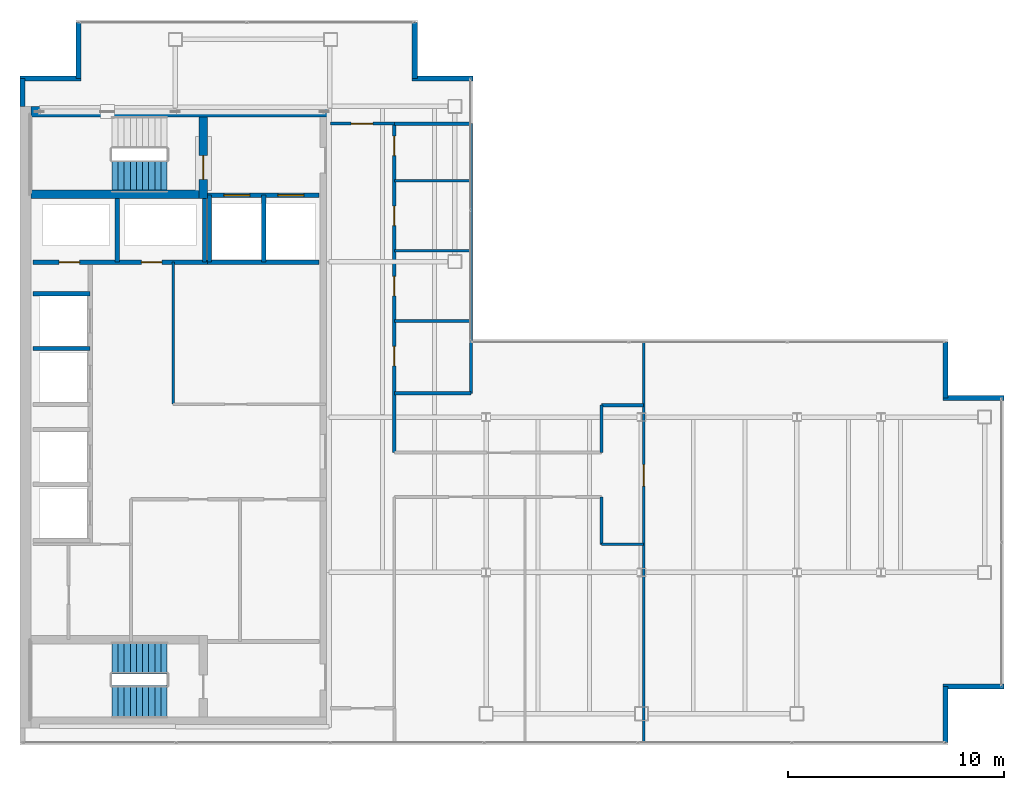
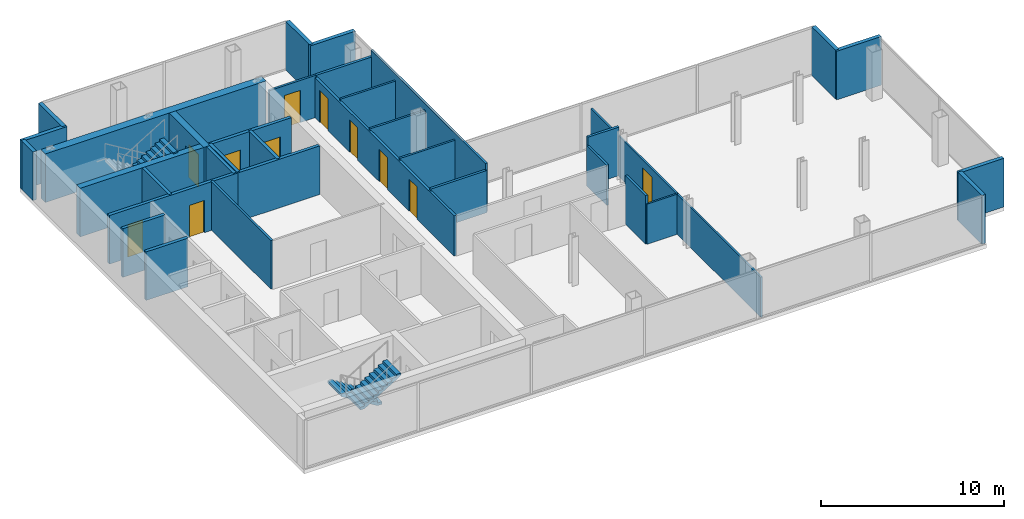
# One storey, part 21 of 23: 35 walls, 11 doors, 3 stair flights, 11 openings, 2 elements without a shape of their own.
"""IFC4 building model written with IfcOpenShell, lengths in metres."""

from ifc_helpers import new_model, si_unit, direction, frame, frame_2d, origin, place, context, subcontext, project, spatial, polyline, rectangle, outline, extrude, material, layer, layer_set, type_object, element, fill, aggregate, save


model = new_model("IFC4")

# Units and contexts
model_context = context("Model", 3, precision=1e-05, world=origin(), true_north=direction((0.0, 1.0)))
body_context = subcontext(model_context, "Body", "Model", "MODEL_VIEW")
ifc_project = project(units=[si_unit("LENGTHUNIT", "METRE"), si_unit("AREAUNIT", "SQUARE_METRE"), si_unit("VOLUMEUNIT", "CUBIC_METRE"), si_unit("PLANEANGLEUNIT", "RADIAN"), si_unit("MASSUNIT", "GRAM", prefix="KILO")], contexts=[model_context])

# Site, building, storey
site_placement = place(None, origin())
site = spatial("IfcSite", under=ifc_project, at=site_placement, CompositionType="ELEMENT")
building_placement = place(site_placement, origin())
building = spatial("IfcBuilding", under=site, at=building_placement, Name="Cobrela Telecom Tower", CompositionType="ELEMENT")
storey_placement = place(building_placement, frame((0.0, 0.0, 265.64990234375)))
storey = spatial("IfcBuildingStorey", under=building, at=storey_placement, Name="L69", CompositionType="ELEMENT", Elevation=265.64990234375)

# Walls
ifc_material_1 = material(Name="Concrete C40/50", Category="concrete")
ifc_layer_1 = layer(ifc_material_1, 0.5)
ifc_layer_set_1 = layer_set([ifc_layer_1], Name="Concrete C40/50")
wall_type_1 = type_object("IfcWallType", Name="WALL-CORE-C40-500", PredefinedType="SHEAR", material=ifc_layer_set_1)
wall_1_placement = place(storey_placement, frame((0.5, 35.75, 0.0), z_axis=(0.0, 0.0, 1.0), x_axis=(1.0, 0.0, 0.0)))
element("IfcWall", 1, at=wall_1_placement, inside=storey, type_object=wall_type_1, Name="L69 North Core Shear Wall", PredefinedType="SHEAR", context=body_context, shape_type="SweptSolid", body=[
    extrude(rectangle(XDim=13.89990234375, YDim=0.5, at=frame_2d((6.949951171875, 0.0))), origin(), (0.0, 0.0, 1.0), 3.239990234375),
])
ifc_layer_2 = layer(ifc_material_1, 0.239990234375)
ifc_layer_set_2 = layer_set([ifc_layer_2], Name="Concrete C40/50")
wall_type_2 = type_object("IfcWallType", Name="WALL-EXT-300", PredefinedType="STANDARD", material=ifc_layer_set_2)
wall_2_placement = place(storey_placement, frame((0.1201171875, 36.0, 0.0), z_axis=(0.0, 0.0, 1.0), x_axis=(0.0, 1.0, 0.0)))
element("IfcWall", 2, at=wall_2_placement, inside=storey, type_object=wall_type_2, Name="L69 Insulated Facade Wall 02", PredefinedType="STANDARD", context=body_context, shape_type="SweptSolid", body=[
    extrude(rectangle(XDim=1.2900390625, YDim=0.239990234375, at=frame_2d((0.64501953125, 0.0))), origin(), (0.0, 0.0, 1.0), 3.239990234375),
])
wall_3_placement = place(storey_placement, frame((0.0, 37.2900390625, 0.0), z_axis=(0.0, 0.0, 1.0), x_axis=(1.0, 0.0, 0.0)))
element("IfcWall", 3, at=wall_3_placement, inside=storey, type_object=wall_type_2, Name="L69 Insulated Facade Wall 03", PredefinedType="STANDARD", context=body_context, shape_type="SweptSolid", body=[
    extrude(rectangle(XDim=2.830078125, YDim=0.239990234375, at=frame_2d((1.4150390625, 0.0))), origin(), (0.0, 0.0, 1.0), 3.239990234375),
])
for number, where, z_axis, x_axis, name in (
    (4, (2.7099609375, 37.2900390625, 0.0), (0.0, 0.0, 1.0), (0.0, 1.0, 0.0), "L69 Insulated Facade Wall 04"),
    (5, (18.2900390625, 39.8798828125, 0.0), (0.0, 0.0, 1.0), (0.0, -1.0, 0.0), "L69 Insulated Facade Wall 06"),
):
    element("IfcWall", number, at=place(storey_placement, frame(where, z_axis=z_axis, x_axis=x_axis)), inside=storey, type_object=wall_type_2, Name=name, PredefinedType="STANDARD", context=body_context, shape_type="SweptSolid", body=[
        extrude(rectangle(XDim=2.58984375, YDim=0.239990234375, at=frame_2d((1.294921875, 0.0))), origin(), (0.0, 0.0, 1.0), 3.239990234375),
    ])
wall_4_placement = place(storey_placement, frame((18.169921875, 37.2900390625, 0.0), z_axis=(0.0, 0.0, 1.0), x_axis=(1.0, 0.0, 0.0)))
element("IfcWall", 6, at=wall_4_placement, inside=storey, type_object=wall_type_2, Name="L69 Insulated Facade Wall 07", PredefinedType="STANDARD", context=body_context, shape_type="SweptSolid", body=[
    extrude(rectangle(XDim=2.830078125, YDim=0.239990234375, at=frame_2d((1.4150390625, 0.0))), origin(), (0.0, 0.0, 1.0), 3.239990234375),
])
wall_5_placement = place(storey_placement, frame((42.889892578125, 25.080078125, 0.0), z_axis=(0.0, 0.0, 1.0), x_axis=(0.0, -1.0, 0.0)))
element("IfcWall", 7, at=wall_5_placement, inside=storey, type_object=wall_type_2, Name="L69 Insulated Facade Wall 10", PredefinedType="STANDARD", context=body_context, shape_type="SweptSolid", body=[
    extrude(rectangle(XDim=2.590087890625, YDim=0.239990234375, at=frame_2d((1.294921875, 0.0))), origin(), (0.0, 0.0, 1.0), 3.239990234375),
])
for number, where, z_axis, x_axis, name in (
    (8, (42.77001953125, 22.489990234375, 0.0), (0.0, 0.0, 1.0), (1.0, 0.0, 0.0), "L69 Insulated Facade Wall 11"),
    (9, (45.60009765625, 9.110107421875, 0.0), (0.0, 0.0, 1.0), (-1.0, 0.0, 0.0), "L69 Insulated Facade Wall 13"),
):
    element("IfcWall", number, at=place(storey_placement, frame(where, z_axis=z_axis, x_axis=x_axis)), inside=storey, type_object=wall_type_2, Name=name, PredefinedType="STANDARD", context=body_context, shape_type="SweptSolid", body=[
        extrude(rectangle(XDim=2.830078125, YDim=0.239990234375, at=frame_2d((1.4150390625, 0.0))), origin(), (0.0, 0.0, 1.0), 3.239990234375),
    ])
wall_6_placement = place(storey_placement, frame((42.889892578125, 9.110107421875, 0.0), z_axis=(0.0, 0.0, 1.0), x_axis=(0.0, -1.0, 0.0)))
element("IfcWall", 10, at=wall_6_placement, inside=storey, type_object=wall_type_2, Name="L69 Insulated Facade Wall 14", PredefinedType="STANDARD", context=body_context, shape_type="SweptSolid", body=[
    extrude(rectangle(XDim=2.590087890625, YDim=0.239990234375, at=frame_2d((1.294921875, 0.0))), origin(), (0.0, 0.0, 1.0), 3.239990234375),
])
ifc_material_2 = material(Name="Fire-Rated Gypsum Plasterboard")
ifc_layer_3 = layer(ifc_material_2, 0.110107421875)
ifc_layer_set_3 = layer_set([ifc_layer_3], Name="Fire-Rated Gypsum Plasterboard")
wall_type_3 = type_object("IfcWallType", Name="WALL-PART-110", PredefinedType="PARTITIONING", material=ifc_layer_set_3)
wall_7_placement = place(storey_placement, frame((26.949951171875, 15.699951171875, 0.0), z_axis=(0.0, 0.0, 1.0), x_axis=(1.0, 0.0, 0.0)))
element("IfcWall", 11, at=wall_7_placement, inside=storey, type_object=wall_type_3, Name="L69 Interior Partition W-CT-S", PredefinedType="PARTITIONING", context=body_context, shape_type="SweptSolid", body=[
    extrude(rectangle(XDim=1.949951171875, YDim=0.110107421875, at=frame_2d((0.97509765625, 0.0))), origin(), (0.0, 0.0, 1.0), 2.676025390625),
])

# Wall, opening, door
wall_8_placement = place(storey_placement, frame((28.89990234375, 6.52001953125, 0.0), z_axis=(0.0, 0.0, 1.0), x_axis=(0.0, 1.0, 0.0)))
wall_8 = element("IfcWall", 12, at=wall_8_placement, inside=storey, type_object=wall_type_3, Name="L69 Interior Partition W-C-END", PredefinedType="PARTITIONING", context=body_context, shape_type="SweptSolid", body=[
    extrude(rectangle(XDim=18.56005859375, YDim=0.110107421875, at=frame_2d((9.280029296875, 0.0))), origin(), (0.0, 0.0, 1.0), 2.676025390625),
])
opening_1_placement = place(wall_8_placement, frame((11.8798828125, 0.0, 0.0)))
opening_1 = element("IfcOpeningElement", 13, at=opening_1_placement, cuts=wall_8, Name="Opening DR-31", PredefinedType="OPENING", context=body_context, shape_type="SweptSolid", body=[
    extrude(rectangle(XDim=1.0, YDim=2.14990234375, at=frame_2d((0.5, 1.074951171875))), frame((0.0, 0.06689453125, 0.0), z_axis=(0.0, -1.0, 0.0), x_axis=(1.0, 0.0, 0.0)), (0.0, 0.0, 1.0), 0.134033203125),
])
ifc_material_3 = material(Name="Solid Engineered Oak Timber", Category="wood")
door_type_1 = type_object("IfcDoorType", Name="DOOR-INT-1000", OperationType="SINGLE_SWING_LEFT", PredefinedType="DOOR", material=ifc_material_3)
door_1_placement = place(opening_1_placement, origin())
door_1 = element("IfcDoor", 14, at=door_1_placement, inside=storey, type_object=door_type_1, Name="L69 Door DR-31", OperationType="SINGLE_SWING_LEFT", OverallHeight=2.14990234375, OverallWidth=1.0, PredefinedType="DOOR", context=body_context, shape_type="SweptSolid", body=[
    extrude(rectangle(XDim=1.0, YDim=2.14990234375, at=frame_2d((0.5, 1.074951171875))), frame((0.0, 0.02490234375, 0.0), z_axis=(0.0, -1.0, 0.0), x_axis=(1.0, 0.0, 0.0)), (0.0, 0.0, 1.0), 0.050048828125),
])
fill(opening_1, door_1)

# Walls
ifc_layer_4 = layer(ifc_material_2, 0.125)
ifc_layer_set_4 = layer_set([ifc_layer_4], Name="Fire-Rated Gypsum Plasterboard")
wall_type_4 = type_object("IfcWallType", Name="WALL-PART-125", PredefinedType="PARTITIONING", material=ifc_layer_set_4)
for number, where, z_axis, x_axis, name in (
    (15, (17.35009765625, 26.050048828125, 0.0), (0.0, 0.0, 1.0), (1.0, 0.0, 0.0), "L69 Interior Partition W-WCD-1"),
    (16, (17.35009765625, 29.300048828125, 0.0), (0.0, 0.0, 1.0), (1.0, 0.0, 0.0), "L69 Interior Partition W-WCD-2"),
    (17, (17.35009765625, 32.550048828125, 0.0), (0.0, 0.0, 1.0), (1.0, 0.0, 0.0), "L69 Interior Partition W-WCD-3"),
):
    element("IfcWall", number, at=place(storey_placement, frame(where, z_axis=z_axis, x_axis=x_axis)), inside=storey, type_object=wall_type_4, Name=name, PredefinedType="PARTITIONING", context=body_context, shape_type="SweptSolid", body=[
        extrude(rectangle(XDim=3.5498046875, YDim=0.125, at=frame_2d((1.77490234375, 0.0))), origin(), (0.0, 0.0, 1.0), 2.80810546875),
    ])
ifc_layer_5 = layer(ifc_material_2, 0.135009765625)
ifc_layer_set_5 = layer_set([ifc_layer_5], Name="Fire-Rated Gypsum Plasterboard")
wall_type_5 = type_object("IfcWallType", Name="WALL-PART-135", PredefinedType="PARTITIONING", material=ifc_layer_set_5)
wall_9_placement = place(storey_placement, frame((7.10009765625, 22.199951171875, 0.0), z_axis=(0.0, 0.0, 1.0), x_axis=(0.0, 1.0, 0.0)))
element("IfcWall", 18, at=wall_9_placement, inside=storey, type_object=wall_type_5, Name="L69 Interior Partition CW-RECL-W", PredefinedType="PARTITIONING", context=body_context, shape_type="SweptSolid", body=[
    extrude(rectangle(XDim=6.580078125, YDim=0.135009765625, at=frame_2d((3.2900390625, 0.0))), origin(), (0.0, 0.0, 1.0), 3.239990234375),
])

# Wall, opening, door
wall_10_placement = place(storey_placement, frame((14.39990234375, 35.199951171875, 0.0), z_axis=(0.0, 0.0, 1.0), x_axis=(1.0, 0.0, 0.0)))
wall_10 = element("IfcWall", 19, at=wall_10_placement, inside=storey, type_object=wall_type_5, Name="L69 Interior Partition W-C-N0", PredefinedType="PARTITIONING", context=body_context, shape_type="SweptSolid", body=[
    extrude(rectangle(XDim=2.9501953125, YDim=0.135009765625, at=frame_2d((1.47509765625, 0.0))), origin(), (0.0, 0.0, 1.0), 2.80810546875),
])
opening_2_placement = place(wall_10_placement, frame((0.949951171875, 0.0, 0.0)))
opening_2 = element("IfcOpeningElement", 20, at=opening_2_placement, cuts=wall_10, Name="Opening DR-31", PredefinedType="OPENING", context=body_context, shape_type="SweptSolid", body=[
    extrude(rectangle(XDim=1.0, YDim=2.14990234375, at=frame_2d((0.5, 1.074951171875))), frame((0.0, 0.07958984375, 0.0), z_axis=(0.0, -1.0, 0.0), x_axis=(1.0, 0.0, 0.0)), (0.0, 0.0, 1.0), 0.158935546875),
])
door_2_placement = place(opening_2_placement, origin())
door_2 = element("IfcDoor", 21, at=door_2_placement, inside=storey, type_object=door_type_1, Name="L69 Door DR-31", OperationType="SINGLE_SWING_LEFT", OverallHeight=2.14990234375, OverallWidth=1.0, PredefinedType="DOOR", context=body_context, shape_type="SweptSolid", body=[
    extrude(rectangle(XDim=1.0, YDim=2.14990234375, at=frame_2d((0.5, 1.074951171875))), frame((0.0, 0.02490234375, 0.0), z_axis=(0.0, -1.0, 0.0), x_axis=(1.0, 0.0, 0.0)), (0.0, 0.0, 1.0), 0.050048828125),
])
fill(opening_2, door_2)

# Walls
wall_11_placement = place(storey_placement, frame((26.949951171875, 19.949951171875, 0.0), z_axis=(0.0, 0.0, 1.0), x_axis=(0.0, 1.0, 0.0)))
element("IfcWall", 22, at=wall_11_placement, inside=storey, type_object=wall_type_5, Name="L69 Interior Partition W-CT-JW2", PredefinedType="PARTITIONING", context=body_context, shape_type="SweptSolid", body=[
    extrude(rectangle(XDim=2.199951171875, YDim=0.135009765625, at=frame_2d((1.10009765625, 0.0))), origin(), (0.0, 0.0, 1.0), 2.676025390625),
])
wall_12_placement = place(storey_placement, frame((20.89990234375, 22.699951171875, 0.0), z_axis=(0.0, 0.0, 1.0), x_axis=(0.0, 1.0, 0.0)))
element("IfcWall", 23, at=wall_12_placement, inside=storey, type_object=wall_type_5, Name="L69 Interior Partition W-WC-E", PredefinedType="PARTITIONING", context=body_context, shape_type="SweptSolid", body=[
    extrude(rectangle(XDim=12.5, YDim=0.135009765625, at=frame_2d((6.25, 0.0))), origin(), (0.0, 0.0, 1.0), 3.239990234375),
])
ifc_layer_6 = layer(ifc_material_2, 0.14990234375)
ifc_layer_set_6 = layer_set([ifc_layer_6], Name="Fire-Rated Gypsum Plasterboard")
wall_type_6 = type_object("IfcWallType", Name="WALL-PART-150", PredefinedType="PARTITIONING", material=ifc_layer_set_6)
wall_13_placement = place(storey_placement, frame((26.949951171875, 15.699951171875, 0.0), z_axis=(0.0, 0.0, 1.0), x_axis=(0.0, 1.0, 0.0)))
element("IfcWall", 24, at=wall_13_placement, inside=storey, type_object=wall_type_6, Name="L69 Interior Partition W-CT-JW1", PredefinedType="PARTITIONING", context=body_context, shape_type="SweptSolid", body=[
    extrude(rectangle(XDim=2.199951171875, YDim=0.14990234375, at=frame_2d((1.10009765625, 0.0))), origin(), (0.0, 0.0, 1.0), 3.239990234375),
])
wall_14_placement = place(storey_placement, frame((17.35009765625, 22.699951171875, 0.0), z_axis=(0.0, 0.0, 1.0), x_axis=(1.0, 0.0, 0.0)))
element("IfcWall", 25, at=wall_14_placement, inside=storey, type_object=wall_type_6, Name="L69 Interior Partition W-WC-S", PredefinedType="PARTITIONING", context=body_context, shape_type="SweptSolid", body=[
    extrude(rectangle(XDim=3.5498046875, YDim=0.14990234375, at=frame_2d((1.77490234375, 0.0))), origin(), (0.0, 0.0, 1.0), 2.80810546875),
])

# Wall, openings, doors
ifc_layer_7 = layer(ifc_material_2, 0.159912109375)
ifc_layer_set_7 = layer_set([ifc_layer_7], Name="Fire-Rated Gypsum Plasterboard")
wall_type_7 = type_object("IfcWallType", Name="WALL-PART-160", PredefinedType="PARTITIONING", material=ifc_layer_set_7)
wall_15_placement = place(storey_placement, frame((17.35009765625, 19.949951171875, 0.0), z_axis=(0.0, 0.0, 1.0), x_axis=(0.0, 1.0, 0.0)))
wall_15 = element("IfcWall", 26, at=wall_15_placement, inside=storey, type_object=wall_type_7, Name="L69 Interior Partition W-C-E2", PredefinedType="PARTITIONING", context=body_context, shape_type="SweptSolid", body=[
    extrude(rectangle(XDim=15.25, YDim=0.159912109375, at=frame_2d((7.625, 0.0))), origin(), (0.0, 0.0, 1.0), 2.676025390625),
])
opening_3_placement = place(wall_15_placement, frame((4.02001953125, 0.0, 0.0)))
opening_3 = element("IfcOpeningElement", 27, at=opening_3_placement, cuts=wall_15, Name="Opening DR-41", PredefinedType="OPENING", context=body_context, shape_type="SweptSolid", body=[
    extrude(rectangle(XDim=0.89990234375, YDim=2.14990234375, at=frame_2d((0.449951171875, 1.074951171875))), frame((0.0, 0.091796875, 0.0), z_axis=(0.0, -1.0, 0.0), x_axis=(1.0, 0.0, 0.0)), (0.0, 0.0, 1.0), 0.183837890625),
])
opening_4_placement = place(wall_15_placement, frame((7.27001953125, 0.0, 0.0)))
opening_4 = element("IfcOpeningElement", 28, at=opening_4_placement, cuts=wall_15, Name="Opening DR-41", PredefinedType="OPENING", context=body_context, shape_type="SweptSolid", body=[
    extrude(rectangle(XDim=0.89990234375, YDim=2.14990234375, at=frame_2d((0.449951171875, 1.074951171875))), frame((0.0, 0.091796875, 0.0), z_axis=(0.0, -1.0, 0.0), x_axis=(1.0, 0.0, 0.0)), (0.0, 0.0, 1.0), 0.183837890625),
])
opening_5_placement = place(wall_15_placement, frame((10.52001953125, 0.0, 0.0)))
opening_5 = element("IfcOpeningElement", 29, at=opening_5_placement, cuts=wall_15, Name="Opening DR-41", PredefinedType="OPENING", context=body_context, shape_type="SweptSolid", body=[
    extrude(rectangle(XDim=0.89990234375, YDim=2.14990234375, at=frame_2d((0.449951171875, 1.074951171875))), frame((0.0, 0.091796875, 0.0), z_axis=(0.0, -1.0, 0.0), x_axis=(1.0, 0.0, 0.0)), (0.0, 0.0, 1.0), 0.183837890625),
])
opening_6_placement = place(wall_15_placement, frame((13.77001953125, 0.0, 0.0)))
opening_6 = element("IfcOpeningElement", 30, at=opening_6_placement, cuts=wall_15, Name="Opening DR-41", PredefinedType="OPENING", context=body_context, shape_type="SweptSolid", body=[
    extrude(rectangle(XDim=0.89990234375, YDim=2.14990234375, at=frame_2d((0.449951171875, 1.074951171875))), frame((0.0, 0.091796875, 0.0), z_axis=(0.0, -1.0, 0.0), x_axis=(1.0, 0.0, 0.0)), (0.0, 0.0, 1.0), 0.183837890625),
])
door_type_2 = type_object("IfcDoorType", Name="DOOR-INT-900", OperationType="SINGLE_SWING_LEFT", PredefinedType="DOOR", material=ifc_material_3)
door_3_placement = place(opening_3_placement, origin())
door_3 = element("IfcDoor", 31, at=door_3_placement, inside=storey, type_object=door_type_2, Name="L69 Door DR-41", OperationType="SINGLE_SWING_LEFT", OverallHeight=2.14990234375, OverallWidth=0.89990234375, PredefinedType="DOOR", context=body_context, shape_type="SweptSolid", body=[
    extrude(rectangle(XDim=0.89990234375, YDim=2.14990234375, at=frame_2d((0.449951171875, 1.074951171875))), frame((0.0, 0.02490234375, 0.0), z_axis=(0.0, -1.0, 0.0), x_axis=(1.0, 0.0, 0.0)), (0.0, 0.0, 1.0), 0.050048828125),
])
fill(opening_3, door_3)
door_4_placement = place(opening_4_placement, origin())
door_4 = element("IfcDoor", 32, at=door_4_placement, inside=storey, type_object=door_type_2, Name="L69 Door DR-41", OperationType="SINGLE_SWING_RIGHT", OverallHeight=2.14990234375, OverallWidth=0.89990234375, PredefinedType="DOOR", context=body_context, shape_type="SweptSolid", body=[
    extrude(rectangle(XDim=0.89990234375, YDim=2.14990234375, at=frame_2d((0.449951171875, 1.074951171875))), frame((0.0, 0.02490234375, 0.0), z_axis=(0.0, -1.0, 0.0), x_axis=(1.0, 0.0, 0.0)), (0.0, 0.0, 1.0), 0.050048828125),
])
fill(opening_4, door_4)
door_5_placement = place(opening_5_placement, origin())
door_5 = element("IfcDoor", 33, at=door_5_placement, inside=storey, type_object=door_type_2, Name="L69 Door DR-41", OperationType="SINGLE_SWING_LEFT", OverallHeight=2.14990234375, OverallWidth=0.89990234375, PredefinedType="DOOR", context=body_context, shape_type="SweptSolid", body=[
    extrude(rectangle(XDim=0.89990234375, YDim=2.14990234375, at=frame_2d((0.449951171875, 1.074951171875))), frame((0.0, 0.02490234375, 0.0), z_axis=(0.0, -1.0, 0.0), x_axis=(1.0, 0.0, 0.0)), (0.0, 0.0, 1.0), 0.050048828125),
])
fill(opening_5, door_5)
door_6_placement = place(opening_6_placement, origin())
door_6 = element("IfcDoor", 34, at=door_6_placement, inside=storey, type_object=door_type_2, Name="L69 Door DR-41", OperationType="SINGLE_SWING_RIGHT", OverallHeight=2.14990234375, OverallWidth=0.89990234375, PredefinedType="DOOR", context=body_context, shape_type="SweptSolid", body=[
    extrude(rectangle(XDim=0.89990234375, YDim=2.14990234375, at=frame_2d((0.449951171875, 1.074951171875))), frame((0.0, 0.02490234375, 0.0), z_axis=(0.0, -1.0, 0.0), x_axis=(1.0, 0.0, 0.0)), (0.0, 0.0, 1.0), 0.050048828125),
])
fill(opening_6, door_6)

# Walls
wall_16_placement = place(storey_placement, frame((26.949951171875, 22.14990234375, 0.0), z_axis=(0.0, 0.0, 1.0), x_axis=(1.0, 0.0, 0.0)))
element("IfcWall", 35, at=wall_16_placement, inside=storey, type_object=wall_type_7, Name="L69 Interior Partition W-CT-N", PredefinedType="PARTITIONING", context=body_context, shape_type="SweptSolid", body=[
    extrude(rectangle(XDim=1.949951171875, YDim=0.159912109375, at=frame_2d((0.97509765625, 0.0))), origin(), (0.0, 0.0, 1.0), 3.239990234375),
])
wall_17_placement = place(storey_placement, frame((17.35009765625, 35.199951171875, 0.0), z_axis=(0.0, 0.0, 1.0), x_axis=(1.0, 0.0, 0.0)))
element("IfcWall", 36, at=wall_17_placement, inside=storey, type_object=wall_type_7, Name="L69 Interior Partition W-NW-S", PredefinedType="PARTITIONING", context=body_context, shape_type="SweptSolid", body=[
    extrude(rectangle(XDim=3.52978515625, YDim=0.159912109375, at=frame_2d((1.764892578125, 0.0))), origin(), (0.0, 0.0, 1.0), 2.80810546875),
])

# Wall, openings, doors
ifc_layer_8 = layer(ifc_material_2, 0.199951171875)
ifc_layer_set_8 = layer_set([ifc_layer_8], Name="Fire-Rated Gypsum Plasterboard")
wall_type_8 = type_object("IfcWallType", Name="WALL-SHAFT-200", PredefinedType="PARTITIONING", material=ifc_layer_set_8)
wall_18_placement = place(storey_placement, frame((8.699951171875, 31.8798828125, 0.0), z_axis=(0.0, 0.0, 1.0), x_axis=(1.0, 0.0, 0.0)))
wall_18 = element("IfcWall", 37, at=wall_18_placement, inside=storey, type_object=wall_type_8, Name="L69 Shaft Enclosure CW-FFL-S", PredefinedType="PARTITIONING", context=body_context, shape_type="SweptSolid", body=[
    extrude(rectangle(XDim=5.150146484375, YDim=0.199951171875, at=frame_2d((2.5751953125, 0.0))), origin(), (0.0, 0.0, 1.0), 3.239990234375),
])
opening_7_placement = place(wall_18_placement, frame((0.75, 0.0, 0.0)))
opening_7 = element("IfcOpeningElement", 38, at=opening_7_placement, cuts=wall_18, Name="Opening LD-2", PredefinedType="OPENING", context=body_context, shape_type="SweptSolid", body=[
    extrude(rectangle(XDim=1.199951171875, YDim=2.199951171875, at=frame_2d((0.60009765625, 1.10009765625))), frame((0.0, 0.11181640625, 0.0), z_axis=(0.0, -1.0, 0.0), x_axis=(1.0, 0.0, 0.0)), (0.0, 0.0, 1.0), 0.223876953125),
])
opening_8_placement = place(wall_18_placement, frame((3.25, 0.0, 0.0)))
opening_8 = element("IfcOpeningElement", 39, at=opening_8_placement, cuts=wall_18, Name="Opening LD-2", PredefinedType="OPENING", context=body_context, shape_type="SweptSolid", body=[
    extrude(rectangle(XDim=1.199951171875, YDim=2.199951171875, at=frame_2d((0.60009765625, 1.10009765625))), frame((0.0, 0.11181640625, 0.0), z_axis=(0.0, -1.0, 0.0), x_axis=(1.0, 0.0, 0.0)), (0.0, 0.0, 1.0), 0.223876953125),
])
ifc_material_4 = material(Name="Steel ASTM A36", Category="steel")
door_type_3 = type_object("IfcDoorType", Name="DOOR-LD-FFL", OperationType="SINGLE_SWING_LEFT", PredefinedType="DOOR", material=ifc_material_4)
door_7_placement = place(opening_7_placement, origin())
door_7 = element("IfcDoor", 40, at=door_7_placement, inside=storey, type_object=door_type_3, Name="L69 Lift Landing Door LD-2", OperationType="DOUBLE_DOOR_SLIDING", OverallHeight=2.199951171875, OverallWidth=1.199951171875, PredefinedType="DOOR", context=body_context, shape_type="SweptSolid", body=[
    extrude(rectangle(XDim=1.199951171875, YDim=2.199951171875, at=frame_2d((0.60009765625, 1.10009765625))), frame((0.0, 0.02490234375, 0.0), z_axis=(0.0, -1.0, 0.0), x_axis=(1.0, 0.0, 0.0)), (0.0, 0.0, 1.0), 0.050048828125),
])
fill(opening_7, door_7)
door_8_placement = place(opening_8_placement, origin())
door_8 = element("IfcDoor", 41, at=door_8_placement, inside=storey, type_object=door_type_3, Name="L69 Lift Landing Door LD-2", OperationType="DOUBLE_DOOR_SLIDING", OverallHeight=2.199951171875, OverallWidth=1.199951171875, PredefinedType="DOOR", context=body_context, shape_type="SweptSolid", body=[
    extrude(rectangle(XDim=1.199951171875, YDim=2.199951171875, at=frame_2d((0.60009765625, 1.10009765625))), frame((0.0, 0.02490234375, 0.0), z_axis=(0.0, -1.0, 0.0), x_axis=(1.0, 0.0, 0.0)), (0.0, 0.0, 1.0), 0.050048828125),
])
fill(opening_8, door_8)

# Walls
wall_19_placement = place(storey_placement, frame((8.699951171875, 28.780029296875, 0.0), z_axis=(0.0, 0.0, 1.0), x_axis=(1.0, 0.0, 0.0)))
element("IfcWall", 42, at=wall_19_placement, inside=storey, type_object=wall_type_8, Name="L69 Shaft Enclosure CW-FFL-S2", PredefinedType="PARTITIONING", context=body_context, shape_type="SweptSolid", body=[
    extrude(rectangle(XDim=5.150146484375, YDim=0.199951171875, at=frame_2d((2.5751953125, 0.0))), origin(), (0.0, 0.0, 1.0), 3.239990234375),
])
for number, where, z_axis, x_axis, name in (
    (43, (8.780029296875, 28.780029296875, 0.0), (0.0, 0.0, 1.0), (0.0, 1.0, 0.0), "L69 Shaft Enclosure CW-FFL-W"),
    (44, (11.300048828125, 28.780029296875, 0.0), (0.0, 0.0, 1.0), (0.0, 1.0, 0.0), "L69 Shaft Enclosure CW-FFL-M"),
):
    element("IfcWall", number, at=place(storey_placement, frame(where, z_axis=z_axis, x_axis=x_axis)), inside=storey, type_object=wall_type_8, Name=name, PredefinedType="PARTITIONING", context=body_context, shape_type="SweptSolid", body=[
        extrude(rectangle(XDim=3.099853515625, YDim=0.199951171875, at=frame_2d((1.5498046875, 0.0))), origin(), (0.0, 0.0, 1.0), 3.239990234375),
    ])

# Wall, openings, doors
wall_20_placement = place(storey_placement, frame((0.60009765625, 28.780029296875, 0.0), z_axis=(0.0, 0.0, 1.0), x_axis=(1.0, 0.0, 0.0)))
wall_20 = element("IfcWall", 45, at=wall_20_placement, inside=storey, type_object=wall_type_8, Name="L69 Shaft Enclosure CW-RIS-S", PredefinedType="PARTITIONING", context=body_context, shape_type="SweptSolid", body=[
    extrude(rectangle(XDim=8.179931640625, YDim=0.199951171875, at=frame_2d((4.08984375, 0.0))), origin(), (0.0, 0.0, 1.0), 3.239990234375),
])
opening_9_placement = place(wall_20_placement, frame((1.2099609375, 0.0, 0.0)))
opening_9 = element("IfcOpeningElement", 46, at=opening_9_placement, cuts=wall_20, Name="Opening DR-65", PredefinedType="OPENING", context=body_context, shape_type="SweptSolid", body=[
    extrude(rectangle(XDim=0.949951171875, YDim=2.14990234375, at=frame_2d((0.47509765625, 1.074951171875))), frame((0.0, 0.11181640625, 0.0), z_axis=(0.0, -1.0, 0.0), x_axis=(1.0, 0.0, 0.0)), (0.0, 0.0, 1.0), 0.223876953125),
])
opening_10_placement = place(wall_20_placement, frame((5.030029296875, 0.0, 0.0)))
opening_10 = element("IfcOpeningElement", 47, at=opening_10_placement, cuts=wall_20, Name="Opening DR-65", PredefinedType="OPENING", context=body_context, shape_type="SweptSolid", body=[
    extrude(rectangle(XDim=0.949951171875, YDim=2.14990234375, at=frame_2d((0.47509765625, 1.074951171875))), frame((0.0, 0.11181640625, 0.0), z_axis=(0.0, -1.0, 0.0), x_axis=(1.0, 0.0, 0.0)), (0.0, 0.0, 1.0), 0.223876953125),
])
door_type_4 = type_object("IfcDoorType", Name="DOOR-FD60-950", OperationType="SINGLE_SWING_LEFT", PredefinedType="DOOR", material=ifc_material_4)
door_9_placement = place(opening_9_placement, origin())
door_9 = element("IfcDoor", 48, at=door_9_placement, inside=storey, type_object=door_type_4, Name="L69 Door DR-65", OperationType="SINGLE_SWING_LEFT", OverallHeight=2.14990234375, OverallWidth=0.949951171875, PredefinedType="DOOR", context=body_context, shape_type="SweptSolid", body=[
    extrude(rectangle(XDim=0.949951171875, YDim=2.14990234375, at=frame_2d((0.47509765625, 1.074951171875))), frame((0.0, 0.02490234375, 0.0), z_axis=(0.0, -1.0, 0.0), x_axis=(1.0, 0.0, 0.0)), (0.0, 0.0, 1.0), 0.050048828125),
])
fill(opening_9, door_9)
door_10_placement = place(opening_10_placement, origin())
door_10 = element("IfcDoor", 49, at=door_10_placement, inside=storey, type_object=door_type_4, Name="L69 Door DR-65", OperationType="SINGLE_SWING_RIGHT", OverallHeight=2.14990234375, OverallWidth=0.949951171875, PredefinedType="DOOR", context=body_context, shape_type="SweptSolid", body=[
    extrude(rectangle(XDim=0.949951171875, YDim=2.14990234375, at=frame_2d((0.47509765625, 1.074951171875))), frame((0.0, 0.02490234375, 0.0), z_axis=(0.0, -1.0, 0.0), x_axis=(1.0, 0.0, 0.0)), (0.0, 0.0, 1.0), 0.050048828125),
])
fill(opening_10, door_10)

# Walls
for number, where, z_axis, x_axis, name in (
    (50, (4.5, 28.780029296875, 0.0), (0.0, 0.0, 1.0), (0.0, 1.0, 0.0), "L69 Shaft Enclosure CW-RIS-M"),
    (51, (8.550048828125, 28.780029296875, 0.0), (0.0, 0.0, 1.0), (0.0, 1.0, 0.0), "L69 Shaft Enclosure CW-RIS-E"),
):
    element("IfcWall", number, at=place(storey_placement, frame(where, z_axis=z_axis, x_axis=x_axis)), inside=storey, type_object=wall_type_8, Name=name, PredefinedType="PARTITIONING", context=body_context, shape_type="SweptSolid", body=[
        extrude(rectangle(XDim=2.93994140625, YDim=0.199951171875, at=frame_2d((1.469970703125, 0.0))), origin(), (0.0, 0.0, 1.0), 3.239990234375),
    ])
for number, where, z_axis, x_axis, name in (
    (52, (0.60009765625, 24.780029296875, 0.0), (0.0, 0.0, 1.0), (1.0, 0.0, 0.0), "L69 Shaft Enclosure CW-PLH-D12"),
    (53, (0.60009765625, 27.320068359375, 0.0), (0.0, 0.0, 1.0), (1.0, 0.0, 0.0), "L69 Shaft Enclosure CW-PLH-TOP"),
):
    element("IfcWall", number, at=place(storey_placement, frame(where, z_axis=z_axis, x_axis=x_axis)), inside=storey, type_object=wall_type_8, Name=name, PredefinedType="PARTITIONING", context=body_context, shape_type="SweptSolid", body=[
        extrude(rectangle(XDim=2.64990234375, YDim=0.199951171875, at=frame_2d((1.324951171875, 0.0))), origin(), (0.0, 0.0, 1.0), 3.239990234375),
    ])
ifc_layer_9 = layer(ifc_material_1, 0.39990234375)
ifc_layer_set_9 = layer_set([ifc_layer_9], Name="Concrete C40/50")
wall_type_9 = type_object("IfcWallType", Name="WALL-SHAFT-C40-400", PredefinedType="SHEAR", material=ifc_layer_set_9)
wall_21_placement = place(storey_placement, frame((0.5, 31.919921875, 0.0), z_axis=(0.0, 0.0, 1.0), x_axis=(1.0, 0.0, 0.0)))
element("IfcWall", 54, at=wall_21_placement, inside=storey, type_object=wall_type_9, Name="L69 North Stair Shear Wall", PredefinedType="SHEAR", context=body_context, shape_type="SweptSolid", body=[
    extrude(rectangle(XDim=7.800048828125, YDim=0.39990234375, at=frame_2d((3.89990234375, 0.0))), origin(), (0.0, 0.0, 1.0), 3.239990234375),
])

# Wall, opening, door
wall_22_placement = place(storey_placement, frame((8.5, 31.719970703125, 0.0), z_axis=(0.0, 0.0, 1.0), x_axis=(0.0, 1.0, 0.0)))
wall_22 = element("IfcWall", 55, at=wall_22_placement, inside=storey, type_object=wall_type_9, Name="L69 North Stair Lobby Shear Wall", PredefinedType="SHEAR", context=body_context, shape_type="SweptSolid", body=[
    extrude(rectangle(XDim=3.780029296875, YDim=0.39990234375, at=frame_2d((1.89013671875, 0.0))), origin(), (0.0, 0.0, 1.0), 3.239990234375),
])
opening_11_placement = place(wall_22_placement, frame((0.89990234375, 0.0, 0.0)))
opening_11 = element("IfcOpeningElement", 56, at=opening_11_placement, cuts=wall_22, Name="Opening DR-59", PredefinedType="OPENING", context=body_context, shape_type="SweptSolid", body=[
    extrude(rectangle(XDim=1.10009765625, YDim=2.14990234375, at=frame_2d((0.550048828125, 1.074951171875))), frame((0.0, 0.2119140625, 0.0), z_axis=(0.0, -1.0, 0.0), x_axis=(1.0, 0.0, 0.0)), (0.0, 0.0, 1.0), 0.423828125),
])
door_type_5 = type_object("IfcDoorType", Name="DOOR-FD60-1100", OperationType="SINGLE_SWING_LEFT", PredefinedType="DOOR", material=ifc_material_4)
door_11_placement = place(opening_11_placement, origin())
door_11 = element("IfcDoor", 57, at=door_11_placement, inside=storey, type_object=door_type_5, Name="L69 Door DR-59", OperationType="SINGLE_SWING_RIGHT", OverallHeight=2.14990234375, OverallWidth=1.10009765625, PredefinedType="DOOR", context=body_context, shape_type="SweptSolid", body=[
    extrude(rectangle(XDim=1.10009765625, YDim=2.14990234375, at=frame_2d((0.550048828125, 1.074951171875))), frame((0.0, 0.02490234375, 0.0), z_axis=(0.0, -1.0, 0.0), x_axis=(1.0, 0.0, 0.0)), (0.0, 0.0, 1.0), 0.050048828125),
])
fill(opening_11, door_11)

# Stair, stair flight
stair_type = type_object("IfcStairType", Name="STAIR-CORE", PredefinedType="HALF_TURN_STAIR", material=ifc_material_1)
stair_1_placement = place(storey_placement, origin())
stair_1 = element("IfcStair", 58, at=stair_1_placement, inside=storey, type_object=stair_type, Name="L69 Smokeproof Exit Stair ST1", PredefinedType="HALF_TURN_STAIR")
stair_flight_type = type_object("IfcStairFlightType", Name="FLIGHT-CORE", PredefinedType="STRAIGHT", material=ifc_material_1)
stair_flight_1_placement = place(storey_placement, frame((4.2548828125, 32.75, 1.75), z_axis=(0.0, 0.0, 1.0), x_axis=(1.0, 0.0, 0.0)))
stair_flight_1 = element("IfcStairFlight", 59, at=stair_flight_1_placement, type_object=stair_flight_type, Name="ST1 flight 2", NumberOfRisers=10, NumberOfTreads=9, PredefinedType="STRAIGHT", RiserHeight=0.175, TreadLength=0.285, context=body_context, shape_type="SweptSolid", body=[
    extrude(outline(polyline([(0.0, 0.0), (0.0, 0.175048828125), (0.284912109375, 0.175048828125), (0.284912109375, 0.35009765625), (0.570068359375, 0.35009765625), (0.570068359375, 0.52490234375), (0.85498046875, 0.52490234375), (0.85498046875, 0.699951171875), (1.139892578125, 0.699951171875), (1.139892578125, 0.875), (1.425048828125, 0.875), (1.425048828125, 1.050048828125), (1.7099609375, 1.050048828125), (1.7099609375, 1.22509765625), (1.9951171875, 1.22509765625), (1.9951171875, 1.39990234375), (2.280029296875, 1.39990234375), (2.280029296875, 1.574951171875), (2.56494140625, 1.574951171875), (2.56494140625, 1.75), (2.56494140625, 1.399169921875), (0.286376953125, 0.0), (0.0, 0.0)])), frame((0.0, 0.75, 0.0), z_axis=(0.0, -1.0, 0.0), x_axis=(1.0, 0.0, 0.0)), (0.0, 0.0, 1.0), 1.5),
])
aggregate(stair_1, [stair_flight_1])

# Stair, stair flights
stair_2_placement = place(storey_placement, origin())
stair_2 = element("IfcStair", 60, at=stair_2_placement, inside=storey, type_object=stair_type, Name="L69 Smokeproof Exit Stair ST2", PredefinedType="HALF_TURN_STAIR")
stair_flight_2_placement = place(storey_placement, frame((6.820068359375, 10.449951171875, 0.0), z_axis=(0.0, 0.0, 1.0), x_axis=(-1.0, 0.0, 0.0)))
stair_flight_2 = element("IfcStairFlight", 61, at=stair_flight_2_placement, type_object=stair_flight_type, Name="ST2 flight 1", NumberOfRisers=10, NumberOfTreads=9, PredefinedType="STRAIGHT", RiserHeight=0.175, TreadLength=0.285, context=body_context, shape_type="SweptSolid", body=[
    extrude(outline(polyline([(0.0, 0.0), (0.0, 0.175048828125), (0.284912109375, 0.175048828125), (0.284912109375, 0.35009765625), (0.570068359375, 0.35009765625), (0.570068359375, 0.52490234375), (0.85498046875, 0.52490234375), (0.85498046875, 0.699951171875), (1.139892578125, 0.699951171875), (1.139892578125, 0.875), (1.425048828125, 0.875), (1.425048828125, 1.050048828125), (1.7099609375, 1.050048828125), (1.7099609375, 1.22509765625), (1.9951171875, 1.22509765625), (1.9951171875, 1.39990234375), (2.280029296875, 1.39990234375), (2.280029296875, 1.574951171875), (2.56494140625, 1.574951171875), (2.56494140625, 1.75), (2.56494140625, 1.399169921875), (0.286376953125, 0.0), (0.0, 0.0)])), frame((0.0, 0.75, 0.0), z_axis=(0.0, -1.0, 0.0), x_axis=(1.0, 0.0, 0.0)), (0.0, 0.0, 1.0), 1.5),
])
stair_flight_3_placement = place(storey_placement, frame((4.2548828125, 8.39990234375, 1.75), z_axis=(0.0, 0.0, 1.0), x_axis=(1.0, 0.0, 0.0)))
stair_flight_3 = element("IfcStairFlight", 62, at=stair_flight_3_placement, type_object=stair_flight_type, Name="ST2 flight 2", NumberOfRisers=10, NumberOfTreads=9, PredefinedType="STRAIGHT", RiserHeight=0.175, TreadLength=0.285, context=body_context, shape_type="SweptSolid", body=[
    extrude(outline(polyline([(0.0, 0.0), (0.0, 0.175048828125), (0.284912109375, 0.175048828125), (0.284912109375, 0.35009765625), (0.570068359375, 0.35009765625), (0.570068359375, 0.52490234375), (0.85498046875, 0.52490234375), (0.85498046875, 0.699951171875), (1.139892578125, 0.699951171875), (1.139892578125, 0.875), (1.425048828125, 0.875), (1.425048828125, 1.050048828125), (1.7099609375, 1.050048828125), (1.7099609375, 1.22509765625), (1.9951171875, 1.22509765625), (1.9951171875, 1.39990234375), (2.280029296875, 1.39990234375), (2.280029296875, 1.574951171875), (2.56494140625, 1.574951171875), (2.56494140625, 1.75), (2.56494140625, 1.399169921875), (0.286376953125, 0.0), (0.0, 0.0)])), frame((0.0, 0.75, 0.0), z_axis=(0.0, -1.0, 0.0), x_axis=(1.0, 0.0, 0.0)), (0.0, 0.0, 1.0), 1.5),
])
aggregate(stair_2, [stair_flight_2, stair_flight_3])

save(model, "model.ifc")
